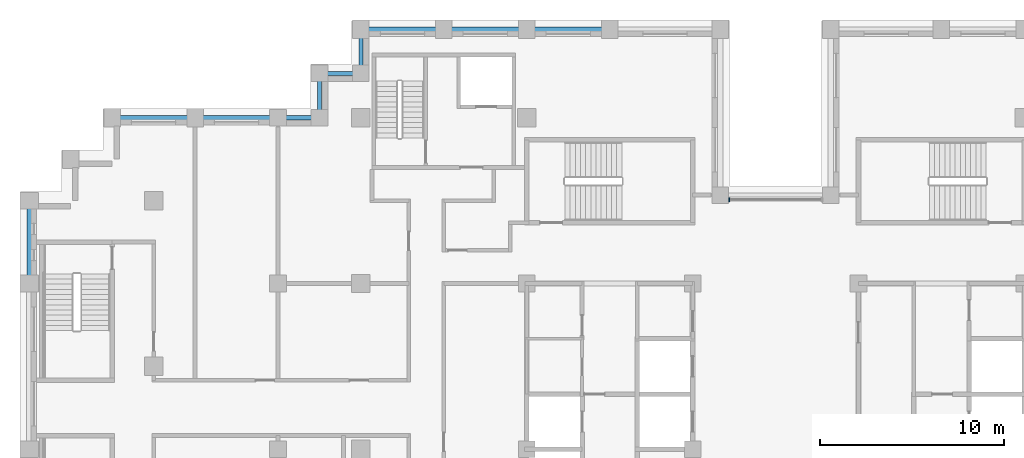
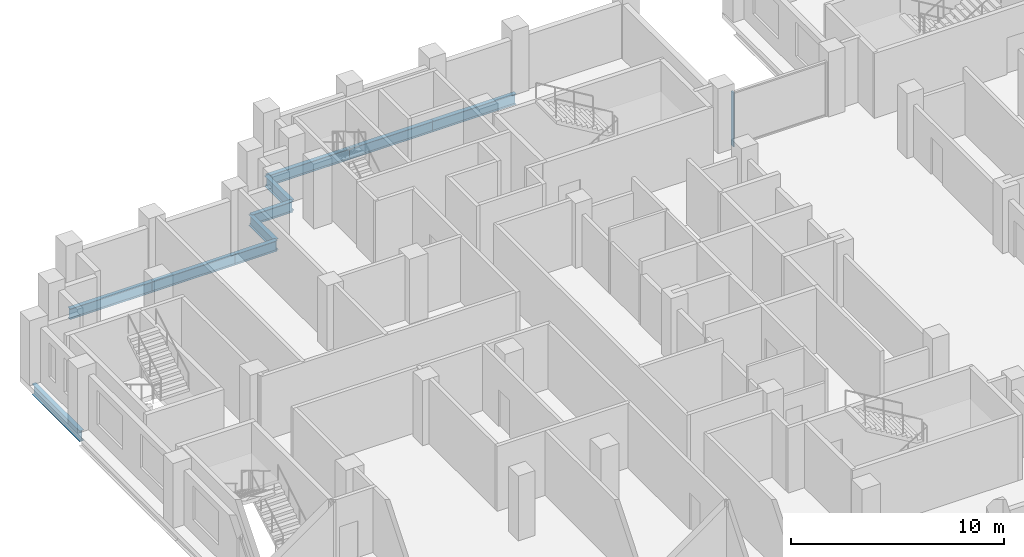
# One storey, part 3 of 15: 10 beams, 1 member, 1 element without a shape of its own.
"""IFC4 building model written with IfcOpenShell, lengths in metres."""

from ifc_helpers import new_model, si_unit, direction, frame, origin, origin_2d, place, context, subcontext, project, spatial, rectangle, i_section, extrude, material, layer, layer_set, material_profile, profile_set, type_object, element, aggregate, save


model = new_model("IFC4")

# Units and contexts
model_context = context("Model", 3, precision=1e-05, world=origin(), true_north=direction((0.0, 1.0)))
body_context = subcontext(model_context, "Body", "Model", "MODEL_VIEW")
ifc_project = project(units=[si_unit("LENGTHUNIT", "METRE"), si_unit("AREAUNIT", "SQUARE_METRE"), si_unit("VOLUMEUNIT", "CUBIC_METRE"), si_unit("PLANEANGLEUNIT", "RADIAN"), si_unit("MASSUNIT", "GRAM", prefix="KILO")], contexts=[model_context])

# Site, building, storey
site_placement = place(None, origin())
site = spatial("IfcSite", under=ifc_project, at=site_placement, CompositionType="ELEMENT")
building_placement = place(site_placement, origin())
building = spatial("IfcBuilding", under=site, at=building_placement, Name="Corbelhall Arena Tower", CompositionType="ELEMENT")
storey_placement = place(building_placement, frame((0.0, 0.0, 192.0)))
storey = spatial("IfcBuildingStorey", under=building, at=storey_placement, Name="L39", CompositionType="ELEMENT", Elevation=192.0)

# Curtain wall, member
ifc_material_1 = material(Name="Aluminium black anodised", Category="aluminium")
ifc_layer = layer(ifc_material_1, 0.199951171875)
ifc_layer_set = layer_set([ifc_layer], Name="EV-CW1 Slot back wall")
curtain_wall_type = type_object("IfcCurtainWallType", Name="EV-CW1 Slot back wall", PredefinedType="NOTDEFINED", material=ifc_layer_set)
curtain_wall_placement = place(storey_placement, origin())
curtain_wall = element("IfcCurtainWall", 1, at=curtain_wall_placement, inside=storey, type_object=curtain_wall_type, Name="Curtain wall CW1", PredefinedType="NOTDEFINED")
ifc_material_profile_1 = material_profile(ifc_material_1, rectangle(XDim=0.199951171875, YDim=0.074951171875, at=origin_2d()))
ifc_profile_set_1 = profile_set([ifc_material_profile_1], Name="Aluminium black anodised")
member_type = type_object("IfcMemberType", Name="EV-CW1-MULLION", PredefinedType="MULLION", material=ifc_profile_set_1)
member_placement = place(storey_placement, frame((-2.512451171875, 13.550048828125, 0.0), z_axis=(0.0, 0.0, 1.0), x_axis=(0.0, -1.0, 0.0)))
member = element("IfcMember", 2, at=member_placement, type_object=member_type, Name="CW1 mullion 2", PredefinedType="MULLION", context=body_context, shape_type="SweptSolid", body=[
    extrude(rectangle(XDim=0.199951171875, YDim=0.074951171875, at=origin_2d()), origin(), (0.0, 0.0, 1.0), 3.1201171875),
])
aggregate(curtain_wall, [member])

# Beams
ifc_material_2 = material(Name="Steel ASTM A992 Gr50", Category="steel")
ifc_material_profile_2 = material_profile(ifc_material_2, i_section(OverallWidth=0.228271484375, OverallDepth=0.607177734375, WebThickness=0.01123046875, FlangeThickness=0.017333984375, at=origin_2d()))
ifc_profile_set_2 = profile_set([ifc_material_profile_2], Name="Steel ASTM A992 Gr50")
beam_type = type_object("IfcBeamType", Name="ST-SPANDREL-W24x76", PredefinedType="SPANDREL", material=ifc_profile_set_2)
for number, where, z_axis, x_axis, name in (
    (3, (-40.5, 9.0, -0.58349609375), (0.0, 1.0, 0.0), (-1.0, 0.0, 0.0), "Beam SP 2"),
    (4, (-31.5, 18.0, -0.58349609375), (1.0, 0.0, 0.0), (0.0, 1.0, 0.0), "Beam SP 5"),
    (5, (-36.0, 18.0, -0.58349609375), (1.0, 0.0, 0.0), (0.0, 1.0, 0.0), "Beam SP 6"),
    (6, (-13.5, 22.800048828125, -0.58349609375), (1.0, 0.0, 0.0), (0.0, 1.0, 0.0), "Beam SP 20"),
    (7, (-18.0, 22.800048828125, -0.58349609375), (1.0, 0.0, 0.0), (0.0, 1.0, 0.0), "Beam SP 21"),
    (8, (-22.5, 22.800048828125, -0.58349609375), (1.0, 0.0, 0.0), (0.0, 1.0, 0.0), "Beam SP 22"),
):
    element("IfcBeam", number, at=place(storey_placement, frame(where, z_axis=z_axis, x_axis=x_axis)), inside=storey, type_object=beam_type, Name=name, PredefinedType="SPANDREL", context=body_context, shape_type="SweptSolid", body=[
        extrude(i_section(OverallWidth=0.228271484375, OverallDepth=0.607177734375, WebThickness=0.01123046875, FlangeThickness=0.017333984375, at=origin_2d()), origin(), (0.0, 0.0, 1.0), 4.5),
    ])
beam_1_placement = place(storey_placement, frame((-27.0, 18.0, -0.58349609375), z_axis=(1.0, 0.0, 0.0), x_axis=(0.0, 1.0, 0.0)))
element("IfcBeam", 9, at=beam_1_placement, inside=storey, type_object=beam_type, Name="Beam SP 33", PredefinedType="SPANDREL", context=body_context, shape_type="SweptSolid", body=[
    extrude(i_section(OverallWidth=0.228271484375, OverallDepth=0.607177734375, WebThickness=0.01123046875, FlangeThickness=0.017333984375, at=origin_2d()), origin(), (0.0, 0.0, 1.0), 2.25),
])
beam_2_placement = place(storey_placement, frame((-22.5, 20.39990234375, -0.58349609375), z_axis=(0.0, 1.0, 0.0), x_axis=(-1.0, 0.0, 0.0)))
element("IfcBeam", 10, at=beam_2_placement, inside=storey, type_object=beam_type, Name="Beam SP 42", PredefinedType="SPANDREL", context=body_context, shape_type="SweptSolid", body=[
    extrude(i_section(OverallWidth=0.228271484375, OverallDepth=0.607177734375, WebThickness=0.01123046875, FlangeThickness=0.017333984375, at=origin_2d()), origin(), (0.0, 0.0, 1.0), 2.400146484375),
])
beam_3_placement = place(storey_placement, frame((-24.75, 20.39990234375, -0.58349609375), z_axis=(1.0, 0.0, 0.0), x_axis=(0.0, 1.0, 0.0)))
element("IfcBeam", 11, at=beam_3_placement, inside=storey, type_object=beam_type, Name="Beam SP 43", PredefinedType="SPANDREL", context=body_context, shape_type="SweptSolid", body=[
    extrude(i_section(OverallWidth=0.228271484375, OverallDepth=0.607177734375, WebThickness=0.01123046875, FlangeThickness=0.017333984375, at=origin_2d()), origin(), (0.0, 0.0, 1.0), 2.25),
])
beam_4_placement = place(storey_placement, frame((-24.75, 18.0, -0.58349609375), z_axis=(0.0, 1.0, 0.0), x_axis=(-1.0, 0.0, 0.0)))
element("IfcBeam", 12, at=beam_4_placement, inside=storey, type_object=beam_type, Name="Beam SP 44", PredefinedType="SPANDREL", context=body_context, shape_type="SweptSolid", body=[
    extrude(i_section(OverallWidth=0.228271484375, OverallDepth=0.607177734375, WebThickness=0.01123046875, FlangeThickness=0.017333984375, at=origin_2d()), origin(), (0.0, 0.0, 1.0), 2.39990234375),
])

save(model, "model.ifc")
